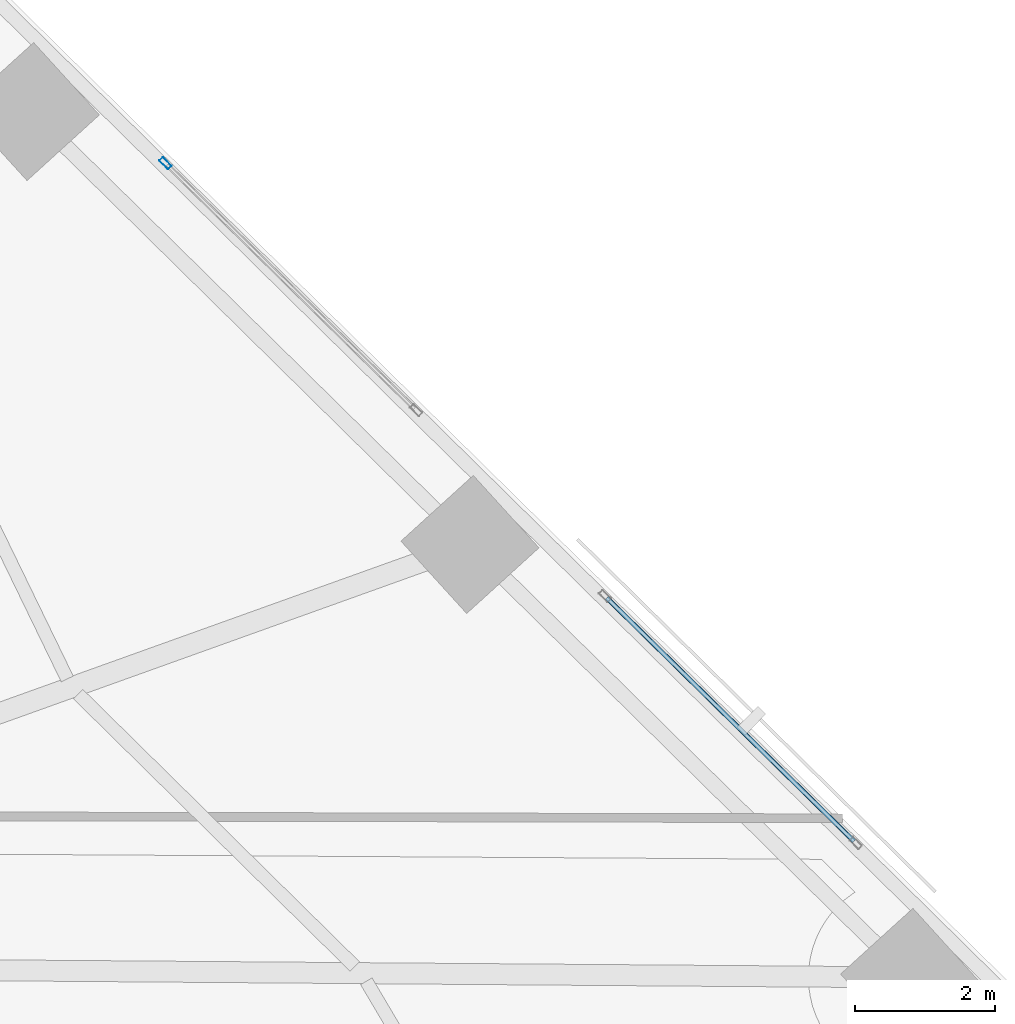
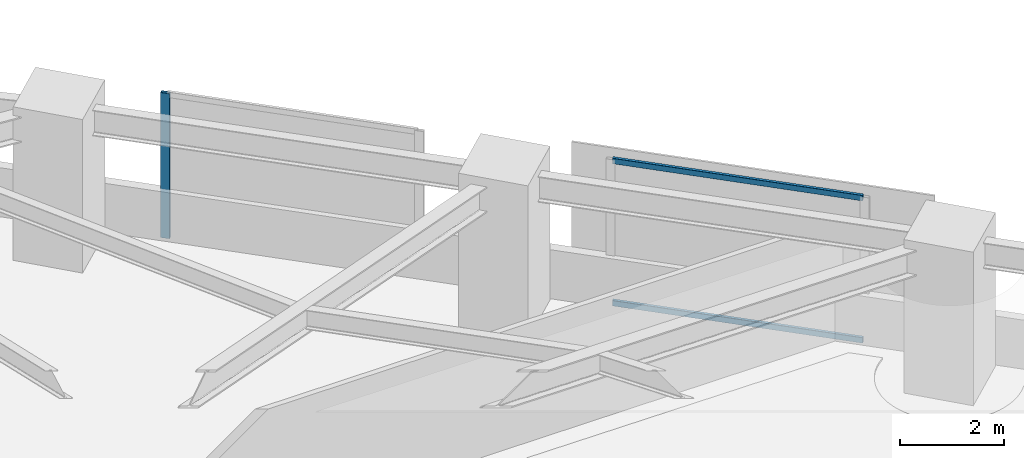
# One storey, part 7 of 17: 3 members, 2 elements without a shape of their own.
"""IFC4 building model written with IfcOpenShell, lengths in metres."""

from ifc_helpers import new_model, si_unit, direction, frame, origin, origin_2d, place, context, subcontext, project, spatial, hollow_rectangle, extrude, material, material_profile, profile_set, type_object, element, aggregate, save


model = new_model("IFC4")

# Units and contexts
model_context = context("Model", 3, precision=1e-05, world=origin(), true_north=direction((0.0, 1.0)))
body_context = subcontext(model_context, "Body", "Model", "MODEL_VIEW")
ifc_project = project(units=[si_unit("LENGTHUNIT", "METRE"), si_unit("AREAUNIT", "SQUARE_METRE"), si_unit("VOLUMEUNIT", "CUBIC_METRE"), si_unit("PLANEANGLEUNIT", "RADIAN"), si_unit("MASSUNIT", "GRAM", prefix="KILO")], contexts=[model_context])

# Site, building, storey
site_placement = place(None, origin())
site = spatial("IfcSite", under=ifc_project, at=site_placement, CompositionType="ELEMENT")
building_placement = place(site_placement, origin())
building = spatial("IfcBuilding", under=site, at=building_placement, Name="Narakoshi Arena Tower", CompositionType="ELEMENT")
storey_placement = place(building_placement, frame((0.0, 0.0, 41.10009765625)))
storey = spatial("IfcBuildingStorey", under=building, at=storey_placement, Name="L10", CompositionType="ELEMENT", Elevation=41.10009765625)

# Curtain wall, member
ifc_material = material(Name="Anodised bronze aluminium 6063-T6", Category="aluminium")
curtain_wall_type = type_object("IfcCurtainWallType", Name="CW-HYP-LOW", PredefinedType="NOTDEFINED", material=ifc_material)
curtain_wall_1_placement = place(storey_placement, origin())
curtain_wall_1 = element("IfcCurtainWall", 1, at=curtain_wall_1_placement, inside=storey, type_object=curtain_wall_type, Name="L10 Folded Hypotenuse Curtain Wall 1-4", PredefinedType="NOTDEFINED")
ifc_material_profile_1 = material_profile(ifc_material, hollow_rectangle(XDim=0.074951171875, YDim=0.179931640625, WallThickness=0.00390625, OuterFilletRadius=0.0048828125, at=origin_2d()), Name="MUL180x75x4")
ifc_profile_set_1 = profile_set([ifc_material_profile_1], Name="Anodised bronze aluminium 6063-T6")
member_type_1 = type_object("IfcMemberType", Name="MEM-MUL-180", PredefinedType="MULLION", material=ifc_profile_set_1)
member_1_placement = place(storey_placement, frame((97.982177734375, 54.835205078125, 0.0), z_axis=(0.0, 0.0, 1.0), x_axis=(-0.701632802488, -0.712538708053, 0.0)))
member_1 = element("IfcMember", 2, at=member_1_placement, type_object=member_type_1, Name="CW-01 mullion 2", PredefinedType="MULLION", context=body_context, shape_type="SweptSolid", body=[
    extrude(hollow_rectangle(XDim=0.074951171875, YDim=0.179931640625, WallThickness=0.00390625, OuterFilletRadius=0.0048828125, at=origin_2d()), origin(), (0.0, 0.0, 1.0), 3.39990234375),
])
aggregate(curtain_wall_1, [member_1])

# Curtain wall, members
curtain_wall_2_placement = place(storey_placement, origin())
curtain_wall_2 = element("IfcCurtainWall", 3, at=curtain_wall_2_placement, inside=storey, type_object=curtain_wall_type, Name="L10 Folded Hypotenuse Curtain Wall 1-3", PredefinedType="NOTDEFINED")
ifc_material_profile_2 = material_profile(ifc_material, hollow_rectangle(XDim=0.06494140625, YDim=0.1298828125, WallThickness=0.00390625, OuterFilletRadius=0.0048828125, at=origin_2d()), Name="TRN130x65x4")
ifc_profile_set_2 = profile_set([ifc_material_profile_2], Name="Anodised bronze aluminium 6063-T6")
member_type_2 = type_object("IfcMemberType", Name="MEM-TRN-130", PredefinedType="USERDEFINED", material=ifc_profile_set_2)
member_2_placement = place(storey_placement, frame((107.845947265625, 45.122314453125, 0.032470703125), z_axis=(-0.712542243067, 0.701629212508, 0.0), x_axis=(-0.701629212508, -0.712542243067, 0.0)))
member_2 = element("IfcMember", 4, at=member_2_placement, type_object=member_type_2, Name="CW-01 transom 1.1", ObjectType="TRANSOM", PredefinedType="USERDEFINED", context=body_context, shape_type="SweptSolid", body=[
    extrude(hollow_rectangle(XDim=0.06494140625, YDim=0.1298828125, WallThickness=0.00390625, OuterFilletRadius=0.0048828125, at=origin_2d()), origin(), (0.0, 0.0, 1.0), 4.966552734375),
])
member_3_placement = place(storey_placement, frame((107.845947265625, 45.122314453125, 3.367431640625), z_axis=(-0.712542243067, 0.701629212508, 0.0), x_axis=(-0.701629212508, -0.712542243067, 0.0)))
member_3 = element("IfcMember", 5, at=member_3_placement, type_object=member_type_2, Name="CW-01 transom 1.2", ObjectType="TRANSOM", PredefinedType="USERDEFINED", context=body_context, shape_type="SweptSolid", body=[
    extrude(hollow_rectangle(XDim=0.06494140625, YDim=0.1298828125, WallThickness=0.00390625, OuterFilletRadius=0.0048828125, at=origin_2d()), origin(), (0.0, 0.0, 1.0), 4.966552734375),
])
aggregate(curtain_wall_2, [member_2, member_3])

save(model, "model.ifc")
